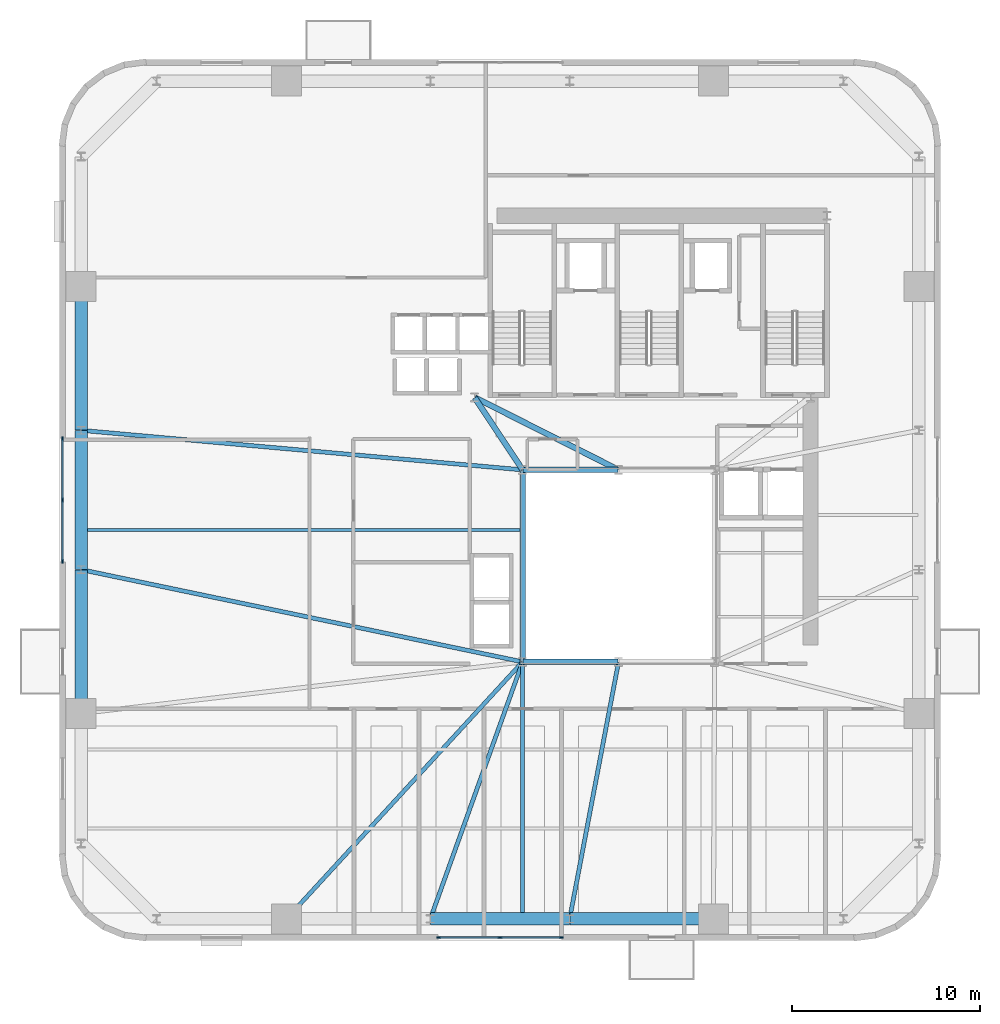
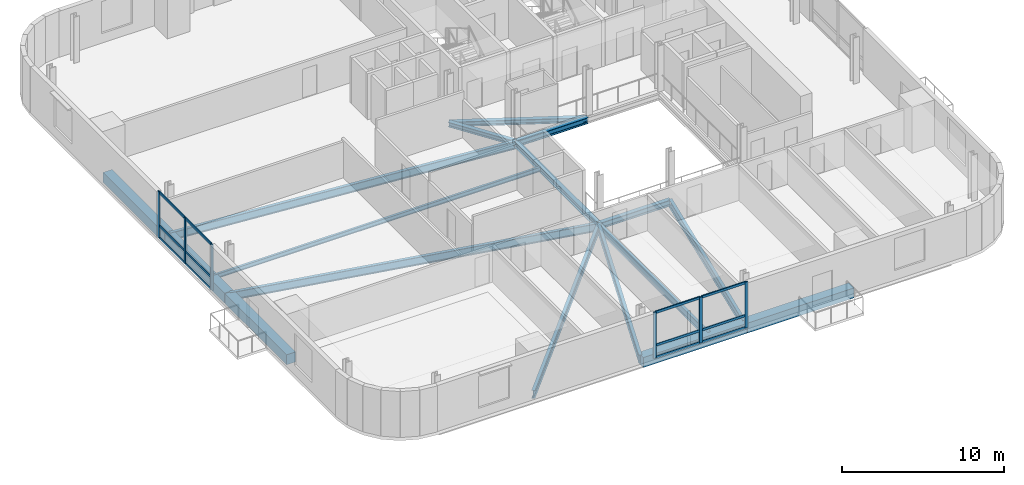
# One storey, part 2 of 14: 18 members, 17 beams, 2 elements without a shape of their own.
"""IFC4 building model written with IfcOpenShell, lengths in metres."""

import ifcopenshell
import ifcopenshell.guid

model = None  # the IFC model being written
_history = None  # IfcOwnerHistory: only IFC2X3 demands one
_inside = {}  # id of a spatial element -> (the spatial element, [elements in it])
_under = {}  # id of a project, library or spatial element -> (it, [spatial elements below it])
_declared = {}  # id of a project -> (the project, [libraries it declares])
_typed = {}  # id of a type object -> (the type object, [elements of that type])
_made_of = {}  # id of a material, layer set ... -> (it, [elements and type objects made of it])


def new_model(schema):
    """Start an empty IFC model of exactly this schema.

    Asked for "IFC4X3", IfcOpenShell would pick the latest addendum, in which some entities
    have other attributes; the version numbers below select the first issue.
    IFC2X3 requires an IfcOwnerHistory on every rooted entity: one is made here for all.
    """
    global model, _history
    if schema == "IFC4X3":
        model = ifcopenshell.file(schema_version=(4, 3, 0, 0))
    else:
        model = ifcopenshell.file(schema=schema)
    _inside.clear()
    _under.clear()
    _declared.clear()
    _typed.clear()
    _made_of.clear()
    _history = None
    if model.schema == "IFC2X3":
        org = make("IfcOrganization", Name="unknown")
        user = make(
            "IfcPersonAndOrganization",
            ThePerson=make("IfcPerson", FamilyName="unknown"),
            TheOrganization=org,
        )
        app = make(
            "IfcApplication",
            ApplicationDeveloper=org,
            Version="unknown",
            ApplicationFullName="unknown",
            ApplicationIdentifier="unknown",
        )
        _history = make(
            "IfcOwnerHistory",
            OwningUser=user,
            OwningApplication=app,
            ChangeAction="ADDED",
            CreationDate=0,
        )
    return model


def make(cls, **values):
    """One entity of the class cls with the attributes given. An attribute that is None is left unset."""
    return model.create_entity(
        cls, **{name: value for name, value in values.items() if value is not None}
    )


def rooted(cls, **values):
    """An entity with a GlobalId (a new one), such as an element, a storey or a relation."""
    return make(cls, GlobalId=ifcopenshell.guid.new(), OwnerHistory=_history, **values)


def si_unit(unit_type, name, prefix=None):
    """IfcSIUnit, for example si_unit("LENGTHUNIT", "METRE", prefix="MILLI")."""
    return make("IfcSIUnit", UnitType=unit_type, Prefix=prefix, Name=name)


def assignment(units):
    """IfcUnitAssignment: the units of a project."""
    return None if units is None else make("IfcUnitAssignment", Units=units)


def point(xyz):
    """IfcCartesianPoint."""
    return None if xyz is None else make("IfcCartesianPoint", Coordinates=xyz)


def direction(xyz):
    """IfcDirection."""
    return None if xyz is None else make("IfcDirection", DirectionRatios=xyz)


def frame(location, z_axis=None, x_axis=None):
    """IfcAxis2Placement3D, a coordinate frame: its origin and axes. An axis left out is left unset."""
    return make(
        "IfcAxis2Placement3D",
        Location=point(location),
        Axis=direction(z_axis),
        RefDirection=direction(x_axis),
    )


def frame_2d(location, x_axis=None):
    """IfcAxis2Placement2D, a coordinate frame in the plane: its origin and x axis."""
    return make(
        "IfcAxis2Placement2D", Location=point(location), RefDirection=direction(x_axis)
    )


def origin():
    """The frame at (0, 0, 0) with its axes left unset."""
    return frame((0.0, 0.0, 0.0))


def origin_2d():
    """The frame at (0, 0) in the plane with its x axis left unset."""
    return frame_2d((0.0, 0.0))


def place(relative_to, where):
    """IfcLocalPlacement: puts the frame where relative to a parent placement (None: the world)."""
    return make(
        "IfcLocalPlacement", PlacementRelTo=relative_to, RelativePlacement=where
    )


def context(
    kind, dimensions, precision=None, world=None, true_north=None, identifier=None
):
    """IfcGeometricRepresentationContext, for example the 3D "Model" context."""
    return make(
        "IfcGeometricRepresentationContext",
        ContextIdentifier=identifier,
        ContextType=kind,
        CoordinateSpaceDimension=dimensions,
        Precision=precision,
        WorldCoordinateSystem=world,
        TrueNorth=true_north,
    )


def subcontext(parent, identifier, kind, view, scale=None):
    """IfcGeometricRepresentationSubContext, for example "Body" below "Model"."""
    return make(
        "IfcGeometricRepresentationSubContext",
        ContextIdentifier=identifier,
        ContextType=kind,
        ParentContext=parent,
        TargetScale=scale,
        TargetView=view,
    )


def project(units=None, contexts=None):
    """IfcProject with its units and contexts."""
    return rooted(
        "IfcProject",
        Name="project",
        RepresentationContexts=contexts,
        UnitsInContext=assignment(units),
    )


def spatial(cls, under=None, at=None, **own):
    """A site, building, storey or space (cls), placed at a placement, below another one or the project."""
    s = rooted(cls, ObjectPlacement=at, **own)
    if under is not None:
        _under.setdefault(under.id(), (under, []))[1].append(s)
    return s


def profile(cls, at=None, kind="AREA", **sizes):
    """A parametric profile (cls). Its sizes go by their IFC names, for example OverallWidth=200.0."""
    return make(cls, ProfileType=kind, Position=at, **sizes)


def rectangle(**sizes):
    """IfcRectangleProfileDef."""
    return profile("IfcRectangleProfileDef", **sizes)


def i_section(**sizes):
    """IfcIShapeProfileDef."""
    return profile("IfcIShapeProfileDef", **sizes)


def extrude(swept, where, along, depth):
    """IfcExtrudedAreaSolid: the profile swept, set in the frame where, extruded along a direction by depth."""
    return make(
        "IfcExtrudedAreaSolid",
        SweptArea=swept,
        Position=where,
        ExtrudedDirection=direction(along),
        Depth=depth,
    )


def shape(context_of_items, identifier, shape_type, items):
    """IfcShapeRepresentation: the items that make up one representation, for example the "Body"."""
    return make(
        "IfcShapeRepresentation",
        ContextOfItems=context_of_items,
        RepresentationIdentifier=identifier,
        RepresentationType=shape_type,
        Items=items,
    )


def source(mapping_origin, context_of_items, identifier, shape_type, items):
    """IfcRepresentationMap: a shape defined once, which mapped items show again and again."""
    return make(
        "IfcRepresentationMap",
        MappingOrigin=mapping_origin,
        MappedRepresentation=shape(context_of_items, identifier, shape_type, items),
    )


def transform(
    local_origin,
    x_axis=None,
    y_axis=None,
    z_axis=None,
    scale=None,
    scale2=None,
    scale3=None,
    uniform=True,
):
    """IfcCartesianTransformationOperator3D, or its non-uniform kind. x_axis, y_axis, z_axis: its Axis1, 2, 3."""
    if uniform:
        return make(
            "IfcCartesianTransformationOperator3D",
            Axis1=direction(x_axis),
            Axis2=direction(y_axis),
            LocalOrigin=point(local_origin),
            Scale=scale,
            Axis3=direction(z_axis),
        )
    return make(
        "IfcCartesianTransformationOperator3DnonUniform",
        Axis1=direction(x_axis),
        Axis2=direction(y_axis),
        LocalOrigin=point(local_origin),
        Scale=scale,
        Axis3=direction(z_axis),
        Scale2=scale2,
        Scale3=scale3,
    )


def mapped(mapping_source, mapping_target):
    """IfcMappedItem: shows the shape of a source again, moved by a transform."""
    return make(
        "IfcMappedItem", MappingSource=mapping_source, MappingTarget=mapping_target
    )


def material(Name=None, Category=None):
    """IfcMaterial."""
    return make("IfcMaterial", Name=Name, Category=Category)


def material_profile(
    of_material, cross_section, Name=None, Category=None, Priority=None
):
    """IfcMaterialProfile: a cross section and its material."""
    return make(
        "IfcMaterialProfile",
        Name=Name,
        Material=of_material,
        Profile=cross_section,
        Priority=Priority,
        Category=Category,
    )


def profile_set(profiles, Name=None, composite=None):
    """IfcMaterialProfileSet."""
    return make(
        "IfcMaterialProfileSet",
        Name=Name,
        MaterialProfiles=profiles,
        CompositeProfile=composite,
    )


def made_of(thing, what):
    """Note that an element or type object is made of a material, layer set ...; save() writes the relation."""
    if what is not None:
        _made_of.setdefault(what.id(), (what, []))[1].append(thing)
    return thing


def type_object(cls, material=None, **own):
    """A type object (cls), such as IfcWallType, which elements share."""
    return made_of(rooted(cls, **own), material)


def element(
    cls,
    number,
    at=None,
    inside=None,
    cuts=None,
    type_object=None,
    material=None,
    context=None,
    identifier="Body",
    shape_type=None,
    held_by="IfcProductDefinitionShape",
    body=None,
    shapes=None,
    **own,
):
    """One element of the class cls, such as IfcWall. Its Tag is "e" and its number.

    at: its placement. inside: the storey or other place that contains it. cuts: it is an
    opening in that element (IfcRelVoidsElement). A single representation is given by context,
    identifier, shape_type and body (its items); several are given by shapes. held_by: the class
    of the entity that holds the representations. save() writes the other relations.
    """
    e = rooted(cls, Tag="e%d" % number, ObjectPlacement=at, **own)
    if body is not None:
        shapes = [shape(context, identifier, shape_type, body)]
    if shapes is not None:
        e.Representation = make(held_by, Representations=shapes)
    if inside is not None:
        _inside.setdefault(inside.id(), (inside, []))[1].append(e)
    if cuts is not None:
        rooted(
            "IfcRelVoidsElement", RelatingBuildingElement=cuts, RelatedOpeningElement=e
        )
    if type_object is not None:
        _typed.setdefault(type_object.id(), (type_object, []))[1].append(e)
    return made_of(e, material)


def aggregate(whole, parts):
    """IfcRelAggregates: a whole, such as a stair, and the parts it consists of."""
    return rooted("IfcRelAggregates", RelatingObject=whole, RelatedObjects=parts)


def save(model, path):
    """Write the relations noted so far, then the file.

    IfcRelAggregates (storeys below a building ...), IfcRelContainedInSpatialStructure (elements
    in a storey), IfcRelDefinesByType, IfcRelAssociatesMaterial and IfcRelDeclares: one each for
    every whole, place, type object, material and project.
    """
    for whole, parts in _under.values():
        aggregate(whole, parts)
    for where, things in _inside.values():
        rooted(
            "IfcRelContainedInSpatialStructure",
            RelatedElements=things,
            RelatingStructure=where,
        )
    for kind, things in _typed.values():
        rooted("IfcRelDefinesByType", RelatedObjects=things, RelatingType=kind)
    for what, things in _made_of.values():
        rooted("IfcRelAssociatesMaterial", RelatedObjects=things, RelatingMaterial=what)
    for by, libraries in _declared.values():
        rooted("IfcRelDeclares", RelatingContext=by, RelatedDefinitions=libraries)
    model.write(path)


model = new_model("IFC4")

# Units and contexts
model_context = context("Model", 3, precision=1e-05, world=origin(), true_north=direction((0.0, 1.0)))
body_context = subcontext(model_context, "Body", "Model", "MODEL_VIEW")
ifc_project = project(units=[si_unit("LENGTHUNIT", "METRE"), si_unit("AREAUNIT", "SQUARE_METRE"), si_unit("VOLUMEUNIT", "CUBIC_METRE"), si_unit("PLANEANGLEUNIT", "RADIAN"), si_unit("MASSUNIT", "GRAM", prefix="KILO")], contexts=[model_context])

# Site, building, storey
site_placement = place(None, origin())
site = spatial("IfcSite", under=ifc_project, at=site_placement, CompositionType="ELEMENT")
building_placement = place(site_placement, origin())
building = spatial("IfcBuilding", under=site, at=building_placement, Name="Vardaveli Station Tower", CompositionType="ELEMENT")
storey_placement = place(building_placement, frame((0.0, 0.0, 122.39990234375)))
storey = spatial("IfcBuildingStorey", under=building, at=storey_placement, Name="L31", CompositionType="ELEMENT", Elevation=122.39990234375)

# Beams
ifc_material_1 = material(Name="Structural steel S355J2", Category="steel")
ifc_material_profile_1 = material_profile(ifc_material_1, i_section(OverallWidth=0.300048828125, OverallDepth=0.449951171875, WebThickness=0.013916015625, FlangeThickness=0.02587890625, FilletRadius=0.027099609375, at=origin_2d()), Name="HEB 450")
ifc_profile_set_1 = profile_set([ifc_material_profile_1], Name="Structural steel S355J2")
beam_type_1 = type_object("IfcBeamType", Name="BM-HEB450", PredefinedType="BEAM", material=ifc_profile_set_1)
shared_shape_1 = source(origin(), body_context, "Body", "SweptSolid", [
    extrude(i_section(OverallWidth=0.300048828125, OverallDepth=0.449951171875, WebThickness=0.013916015625, FlangeThickness=0.02587890625, FilletRadius=0.027099609375, at=origin_2d()), origin(), (0.0, 0.0, 1.0), 5.06005859375),
])
for number, where, z_axis, x_axis, name in (
    (1, (31.219970703125, 16.60009765625, -0.46484375), (1.0, 0.0, 0.0), (0.0, 1.0, 0.0), "ABM-L31-01"),
    (2, (36.280029296875, 26.800048828125, -0.46484375), (-1.0, 0.0, 0.0), (0.0, -1.0, 0.0), "ABM-L31-05"),
):
    element("IfcBeam", number, at=place(storey_placement, frame(where, z_axis=z_axis, x_axis=x_axis)), inside=storey, type_object=beam_type_1, Name=name, PredefinedType="BEAM", context=body_context, shape_type="MappedRepresentation", body=[
        mapped(shared_shape_1, transform((0.0, 0.0, 0.0), scale=1.0)),
    ])
shared_shape_2 = source(origin(), body_context, "Body", "SweptSolid", [
    extrude(i_section(OverallWidth=0.300048828125, OverallDepth=0.449951171875, WebThickness=0.013916015625, FlangeThickness=0.02587890625, FilletRadius=0.027099609375, at=origin_2d()), origin(), (0.0, 0.0, 1.0), 10.159912109375),
])
beam_1_placement = place(storey_placement, frame((31.199951171875, 26.780029296875, -0.46484375), z_axis=(0.0, -1.0, 0.0), x_axis=(1.0, 0.0, 0.0)))
element("IfcBeam", 3, at=beam_1_placement, inside=storey, type_object=beam_type_1, Name="ABM-L31-06", PredefinedType="BEAM", context=body_context, shape_type="MappedRepresentation", body=[
    mapped(shared_shape_2, transform((0.0, 0.0, 0.0), scale=1.0)),
])
ifc_material_profile_2 = material_profile(ifc_material_1, i_section(OverallWidth=0.300048828125, OverallDepth=0.360107421875, WebThickness=0.012451171875, FlangeThickness=0.0224609375, FilletRadius=0.027099609375, at=origin_2d()), Name="HEB 360")
ifc_profile_set_2 = profile_set([ifc_material_profile_2], Name="Structural steel S355J2")
beam_type_2 = type_object("IfcBeamType", Name="BM-HEB360", PredefinedType="BEAM", material=ifc_profile_set_2)
shared_shape_3 = source(origin(), body_context, "Body", "SweptSolid", [
    extrude(i_section(OverallWidth=0.300048828125, OverallDepth=0.360107421875, WebThickness=0.012451171875, FlangeThickness=0.0224609375, FilletRadius=0.027099609375, at=origin_2d()), origin(), (0.0, 0.0, 1.0), 4.577880859375),
])
beam_2_placement = place(storey_placement, frame((31.18896484375, 26.816650390625, -0.419921875), z_axis=(-0.55218702139, 0.833720272879, 0.0), x_axis=(-0.833720272879, -0.55218702139, 0.0)))
element("IfcBeam", 4, at=beam_2_placement, inside=storey, type_object=beam_type_2, Name="CBM-L31-01", PredefinedType="BEAM", context=body_context, shape_type="MappedRepresentation", body=[
    mapped(shared_shape_3, transform((0.0, 0.0, 0.0), scale=1.0)),
])
shared_shape_4 = source(origin(), body_context, "Body", "SweptSolid", [
    extrude(i_section(OverallWidth=0.300048828125, OverallDepth=0.360107421875, WebThickness=0.012451171875, FlangeThickness=0.0224609375, FilletRadius=0.027099609375, at=origin_2d()), origin(), (0.0, 0.0, 1.0), 8.524169921875),
])
beam_3_placement = place(storey_placement, frame((28.66796875, 30.64111328125, -0.419921875), z_axis=(0.893255584708, -0.449549174605, 0.0), x_axis=(0.449549174605, 0.893255584708, 0.0)))
element("IfcBeam", 5, at=beam_3_placement, inside=storey, type_object=beam_type_2, Name="CBM-L31-03", PredefinedType="BEAM", context=body_context, shape_type="MappedRepresentation", body=[
    mapped(shared_shape_4, transform((0.0, 0.0, 0.0), scale=1.0)),
])
ifc_material_2 = material(Name="Precast concrete C45/55", Category="concrete")
ifc_material_profile_3 = material_profile(ifc_material_2, rectangle(XDim=0.64990234375, YDim=0.75, at=origin_2d()), Name="LPB 650x750")
ifc_profile_set_3 = profile_set([ifc_material_profile_3], Name="Precast concrete C45/55")
beam_type_3 = type_object("IfcBeamType", Name="BM-LPB-750", PredefinedType="BEAM", material=ifc_profile_set_3)
shared_shape_5 = source(origin(), body_context, "Body", "SweptSolid", [
    extrude(rectangle(XDim=0.64990234375, YDim=0.75, at=origin_2d()), origin(), (0.0, 0.0, 1.0), 7.60009765625),
])
for number, where, z_axis, x_axis, name in (
    (6, (33.719970703125, 2.949951171875, -0.614990234375), (1.0, 0.0, 0.0), (0.0, 1.0, 0.0), "RBM-L31-03"),
    (7, (7.75, 36.52001953125, -0.614990234375), (0.0, -1.0, 0.0), (1.0, 0.0, 0.0), "RBM-L31-19"),
    (8, (7.75, 21.47998046875, -0.614990234375), (0.0, -1.0, 0.0), (1.0, 0.0, 0.0), "RBM-L31-21"),
):
    element("IfcBeam", number, at=place(storey_placement, frame(where, z_axis=z_axis, x_axis=x_axis)), inside=storey, type_object=beam_type_3, Name=name, PredefinedType="BEAM", context=body_context, shape_type="MappedRepresentation", body=[
        mapped(shared_shape_5, transform((0.0, 0.0, 0.0), scale=1.0)),
    ])
shared_shape_6 = source(origin(), body_context, "Body", "SweptSolid", [
    extrude(rectangle(XDim=0.64990234375, YDim=0.75, at=origin_2d()), origin(), (0.0, 0.0, 1.0), 7.35986328125),
])
for number, where, z_axis, x_axis, name in (
    (9, (26.320068359375, 2.949951171875, -0.614990234375), (1.0, 0.0, 0.0), (0.0, 1.0, 0.0), "RBM-L31-02"),
    (10, (7.75, 28.8798828125, -0.614990234375), (0.0, -1.0, 0.0), (1.0, 0.0, 0.0), "RBM-L31-20"),
):
    element("IfcBeam", number, at=place(storey_placement, frame(where, z_axis=z_axis, x_axis=x_axis)), inside=storey, type_object=beam_type_3, Name=name, PredefinedType="BEAM", context=body_context, shape_type="MappedRepresentation", body=[
        mapped(shared_shape_6, transform((0.0, 0.0, 0.0), scale=1.0)),
    ])
ifc_material_profile_4 = material_profile(ifc_material_1, i_section(OverallWidth=0.2099609375, OverallDepth=0.550048828125, WebThickness=0.010986328125, FlangeThickness=0.01708984375, FilletRadius=0.02392578125, at=origin_2d()), Name="IPE 550")
ifc_profile_set_4 = profile_set([ifc_material_profile_4], Name="Structural steel S355J2")
beam_type_4 = type_object("IfcBeamType", Name="BM-IPE550", PredefinedType="BEAM", material=ifc_profile_set_4)
shared_shape_7 = source(origin(), body_context, "Body", "SweptSolid", [
    extrude(i_section(OverallWidth=0.2099609375, OverallDepth=0.550048828125, WebThickness=0.010986328125, FlangeThickness=0.01708984375, FilletRadius=0.02392578125, at=origin_2d()), origin(), (0.0, 0.0, 1.0), 13.469970703125),
])
beam_4_placement = place(storey_placement, frame((31.199951171875, 2.989990234375, -0.514892578125), z_axis=(0.0, 1.0, 0.0), x_axis=(-1.0, 0.0, 0.0)))
element("IfcBeam", 11, at=beam_4_placement, inside=storey, type_object=beam_type_4, Name="NSM-L31-S1", PredefinedType="BEAM", context=body_context, shape_type="MappedRepresentation", body=[
    mapped(shared_shape_7, transform((0.0, 0.0, 0.0), scale=1.0)),
])
ifc_material_profile_5 = material_profile(ifc_material_1, i_section(OverallWidth=0.159912109375, OverallDepth=0.330078125, WebThickness=0.007568359375, FlangeThickness=0.011474609375, FilletRadius=0.01806640625, at=origin_2d()), Name="IPE 330")
ifc_profile_set_5 = profile_set([ifc_material_profile_5], Name="Structural steel S355J2")
beam_type_5 = type_object("IfcBeamType", Name="BM-IPE330", PredefinedType="JOIST", material=ifc_profile_set_5)
shared_shape_8 = source(origin(), body_context, "Body", "SweptSolid", [
    extrude(i_section(OverallWidth=0.159912109375, OverallDepth=0.330078125, WebThickness=0.007568359375, FlangeThickness=0.011474609375, FilletRadius=0.01806640625, at=origin_2d()), origin(), (0.0, 0.0, 1.0), 23.2978515625),
])
beam_5_placement = place(storey_placement, frame((7.7900390625, 23.60009765625, -0.40478515625), z_axis=(1.0, 0.0, 0.0), x_axis=(0.0, 1.0, 0.0)))
element("IfcBeam", 12, at=beam_5_placement, inside=storey, type_object=beam_type_5, Name="SJ-L31-W06", PredefinedType="JOIST", context=body_context, shape_type="MappedRepresentation", body=[
    mapped(shared_shape_8, transform((0.0, 0.0, 0.0), scale=1.0)),
])
ifc_material_profile_6 = material_profile(ifc_material_1, i_section(OverallWidth=0.219970703125, OverallDepth=0.60009765625, WebThickness=0.011962890625, FlangeThickness=0.01904296875, FilletRadius=0.02392578125, at=origin_2d()), Name="IPE 600")
ifc_profile_set_6 = profile_set([ifc_material_profile_6], Name="Structural steel S355J2")
beam_type_6 = type_object("IfcBeamType", Name="BM-IPE600", PredefinedType="BEAM", material=ifc_profile_set_6)
shared_shape_9 = source(origin(), body_context, "Body", "SweptSolid", [
    extrude(i_section(OverallWidth=0.219970703125, OverallDepth=0.60009765625, WebThickness=0.011962890625, FlangeThickness=0.01904296875, FilletRadius=0.02392578125, at=origin_2d()), origin(), (0.0, 0.0, 1.0), 18.49560546875),
])
beam_6_placement = place(storey_placement, frame((18.673583984375, 2.96484375, -0.539794921875), z_axis=(0.676535341891, 0.736410165039, 0.0), x_axis=(-0.736410165039, 0.676535341891, 0.0)))
element("IfcBeam", 13, at=beam_6_placement, inside=storey, type_object=beam_type_6, Name="GBM-L31-01", PredefinedType="BEAM", context=body_context, shape_type="MappedRepresentation", body=[
    mapped(shared_shape_9, transform((0.0, 0.0, 0.0), scale=1.0)),
])
shared_shape_10 = source(origin(), body_context, "Body", "SweptSolid", [
    extrude(i_section(OverallWidth=0.219970703125, OverallDepth=0.60009765625, WebThickness=0.011962890625, FlangeThickness=0.01904296875, FilletRadius=0.02392578125, at=origin_2d()), origin(), (0.0, 0.0, 1.0), 14.462890625),
])
beam_7_placement = place(storey_placement, frame((26.306640625, 2.96875, -0.539794921875), z_axis=(0.337880090533, 0.941189165057, 0.0), x_axis=(-0.941189165057, 0.337880090533, 0.0)))
element("IfcBeam", 14, at=beam_7_placement, inside=storey, type_object=beam_type_6, Name="GBM-L31-02", PredefinedType="BEAM", context=body_context, shape_type="MappedRepresentation", body=[
    mapped(shared_shape_10, transform((0.0, 0.0, 0.0), scale=1.0)),
])
shared_shape_11 = source(origin(), body_context, "Body", "SweptSolid", [
    extrude(i_section(OverallWidth=0.219970703125, OverallDepth=0.60009765625, WebThickness=0.011962890625, FlangeThickness=0.01904296875, FilletRadius=0.02392578125, at=origin_2d()), origin(), (0.0, 0.0, 1.0), 13.855224609375),
])
beam_8_placement = place(storey_placement, frame((33.703857421875, 2.9697265625, -0.539794921875), z_axis=(0.187097533125, 0.982341342456, 0.0), x_axis=(-0.982341342456, 0.187097533125, 0.0)))
element("IfcBeam", 15, at=beam_8_placement, inside=storey, type_object=beam_type_6, Name="GBM-L31-03", PredefinedType="BEAM", context=body_context, shape_type="MappedRepresentation", body=[
    mapped(shared_shape_11, transform((0.0, 0.0, 0.0), scale=1.0)),
])
shared_shape_12 = source(origin(), body_context, "Body", "SweptSolid", [
    extrude(i_section(OverallWidth=0.219970703125, OverallDepth=0.60009765625, WebThickness=0.011962890625, FlangeThickness=0.01904296875, FilletRadius=0.02392578125, at=origin_2d()), origin(), (0.0, 0.0, 1.0), 23.50390625),
])
beam_9_placement = place(storey_placement, frame((7.77001953125, 28.898193359375, -0.539794921875), z_axis=(0.996014142198, -0.08919545135, 0.0), x_axis=(0.08919545135, 0.996014142198, 0.0)))
element("IfcBeam", 16, at=beam_9_placement, inside=storey, type_object=beam_type_6, Name="GBM-L31-08", PredefinedType="BEAM", context=body_context, shape_type="MappedRepresentation", body=[
    mapped(shared_shape_12, transform((0.0, 0.0, 0.0), scale=1.0)),
])
shared_shape_13 = source(origin(), body_context, "Body", "SweptSolid", [
    extrude(i_section(OverallWidth=0.219970703125, OverallDepth=0.60009765625, WebThickness=0.011962890625, FlangeThickness=0.01904296875, FilletRadius=0.02392578125, at=origin_2d()), origin(), (0.0, 0.0, 1.0), 23.91650390625),
])
beam_10_placement = place(storey_placement, frame((7.76953125, 21.495849609375, -0.539794921875), z_axis=(0.978858547354, -0.204538368703, 0.0), x_axis=(0.204538368703, 0.978858547354, 0.0)))
element("IfcBeam", 17, at=beam_10_placement, inside=storey, type_object=beam_type_6, Name="GBM-L31-09", PredefinedType="BEAM", context=body_context, shape_type="MappedRepresentation", body=[
    mapped(shared_shape_13, transform((0.0, 0.0, 0.0), scale=1.0)),
])

# Curtain wall, members
ifc_material_3 = material(Name="Travertine stone and solar-control glass", Category="masonry")
curtain_wall_type = type_object("IfcCurtainWallType", Name="CW-SYS-2", PredefinedType="NOTDEFINED", material=ifc_material_3)
curtain_wall_1_placement = place(storey_placement, origin())
curtain_wall_1 = element("IfcCurtainWall", 18, at=curtain_wall_1_placement, inside=storey, type_object=curtain_wall_type, Name="CW-L31-S", PredefinedType="NOTDEFINED")
ifc_material_4 = material(Name="Anodised aluminium alloy 6063-T6", Category="aluminium")
ifc_material_profile_7 = material_profile(ifc_material_4, rectangle(XDim=0.0849609375, YDim=0.179931640625, at=origin_2d()), Name="CWT 85x180")
ifc_profile_set_7 = profile_set([ifc_material_profile_7], Name="Anodised aluminium alloy 6063-T6")
member_type_1 = type_object("IfcMemberType", Name="CW-SYS-2-TRAN", PredefinedType="NOTDEFINED", material=ifc_profile_set_7)
shared_shape_14 = source(origin(), body_context, "Body", "SweptSolid", [
    extrude(rectangle(XDim=0.0849609375, YDim=0.179931640625, at=origin_2d()), origin(), (0.0, 0.0, 1.0), 3.172607421875),
])
member_1_placement = place(storey_placement, frame((26.784912109375, 1.9599609375, 0.04248046875), z_axis=(1.0, 0.0, 0.0), x_axis=(0.0, 1.0, 0.0)))
member_1 = element("IfcMember", 19, at=member_1_placement, type_object=member_type_1, Name="CW-2 transom 1.1", ObjectType="TRANSOM", PredefinedType="USERDEFINED", context=body_context, shape_type="MappedRepresentation", body=[
    mapped(shared_shape_14, transform((0.0, 0.0, 0.0), scale=1.0)),
])
member_2_placement = place(storey_placement, frame((26.784912109375, 1.9599609375, 0.9501953125), z_axis=(1.0, 0.0, 0.0), x_axis=(0.0, 1.0, 0.0)))
member_2 = element("IfcMember", 20, at=member_2_placement, type_object=member_type_1, Name="CW-2 transom 1.2", ObjectType="TRANSOM", PredefinedType="USERDEFINED", context=body_context, shape_type="MappedRepresentation", body=[
    mapped(shared_shape_14, transform((0.0, 0.0, 0.0), scale=1.0)),
])
member_3_placement = place(storey_placement, frame((26.784912109375, 1.9599609375, 3.41748046875), z_axis=(1.0, 0.0, 0.0), x_axis=(0.0, 1.0, 0.0)))
member_3 = element("IfcMember", 21, at=member_3_placement, type_object=member_type_1, Name="CW-2 transom 1.3", ObjectType="TRANSOM", PredefinedType="USERDEFINED", context=body_context, shape_type="MappedRepresentation", body=[
    mapped(shared_shape_14, transform((0.0, 0.0, 0.0), scale=1.0)),
])
member_4_placement = place(storey_placement, frame((30.04248046875, 1.9599609375, 0.04248046875), z_axis=(1.0, 0.0, 0.0), x_axis=(0.0, 1.0, 0.0)))
member_4 = element("IfcMember", 22, at=member_4_placement, type_object=member_type_1, Name="CW-2 transom 2.1", ObjectType="TRANSOM", PredefinedType="USERDEFINED", context=body_context, shape_type="MappedRepresentation", body=[
    mapped(shared_shape_14, transform((0.0, 0.0, 0.0), scale=1.0)),
])
member_5_placement = place(storey_placement, frame((30.04248046875, 1.9599609375, 0.9501953125), z_axis=(1.0, 0.0, 0.0), x_axis=(0.0, 1.0, 0.0)))
member_5 = element("IfcMember", 23, at=member_5_placement, type_object=member_type_1, Name="CW-2 transom 2.2", ObjectType="TRANSOM", PredefinedType="USERDEFINED", context=body_context, shape_type="MappedRepresentation", body=[
    mapped(shared_shape_14, transform((0.0, 0.0, 0.0), scale=1.0)),
])
member_6_placement = place(storey_placement, frame((30.04248046875, 1.9599609375, 3.41748046875), z_axis=(1.0, 0.0, 0.0), x_axis=(0.0, 1.0, 0.0)))
member_6 = element("IfcMember", 24, at=member_6_placement, type_object=member_type_1, Name="CW-2 transom 2.3", ObjectType="TRANSOM", PredefinedType="USERDEFINED", context=body_context, shape_type="MappedRepresentation", body=[
    mapped(shared_shape_14, transform((0.0, 0.0, 0.0), scale=1.0)),
])

curtain_wall_2_placement = place(storey_placement, origin())
curtain_wall_2 = element("IfcCurtainWall", 25, at=curtain_wall_2_placement, inside=storey, type_object=curtain_wall_type, Name="CW-L31-W", PredefinedType="NOTDEFINED")
member_7_placement = place(storey_placement, frame((6.760009765625, 28.4150390625, 0.04248046875), z_axis=(0.0, -1.0, 0.0), x_axis=(1.0, 0.0, 0.0)))
member_7 = element("IfcMember", 26, at=member_7_placement, type_object=member_type_1, Name="CW-2 transom 1.1", ObjectType="TRANSOM", PredefinedType="USERDEFINED", context=body_context, shape_type="MappedRepresentation", body=[
    mapped(shared_shape_14, transform((0.0, 0.0, 0.0), scale=1.0)),
])
member_8_placement = place(storey_placement, frame((6.760009765625, 28.4150390625, 0.9501953125), z_axis=(0.0, -1.0, 0.0), x_axis=(1.0, 0.0, 0.0)))
member_8 = element("IfcMember", 27, at=member_8_placement, type_object=member_type_1, Name="CW-2 transom 1.2", ObjectType="TRANSOM", PredefinedType="USERDEFINED", context=body_context, shape_type="MappedRepresentation", body=[
    mapped(shared_shape_14, transform((0.0, 0.0, 0.0), scale=1.0)),
])
member_9_placement = place(storey_placement, frame((6.760009765625, 28.4150390625, 3.41748046875), z_axis=(0.0, -1.0, 0.0), x_axis=(1.0, 0.0, 0.0)))
member_9 = element("IfcMember", 28, at=member_9_placement, type_object=member_type_1, Name="CW-2 transom 1.3", ObjectType="TRANSOM", PredefinedType="USERDEFINED", context=body_context, shape_type="MappedRepresentation", body=[
    mapped(shared_shape_14, transform((0.0, 0.0, 0.0), scale=1.0)),
])
shared_shape_15 = source(origin(), body_context, "Body", "SweptSolid", [
    extrude(rectangle(XDim=0.0849609375, YDim=0.179931640625, at=origin_2d()), origin(), (0.0, 0.0, 1.0), 3.17236328125),
])
member_10_placement = place(storey_placement, frame((6.760009765625, 25.157470703125, 0.04248046875), z_axis=(0.0, -1.0, 0.0), x_axis=(1.0, 0.0, 0.0)))
member_10 = element("IfcMember", 29, at=member_10_placement, type_object=member_type_1, Name="CW-2 transom 2.1", ObjectType="TRANSOM", PredefinedType="USERDEFINED", context=body_context, shape_type="MappedRepresentation", body=[
    mapped(shared_shape_15, transform((0.0, 0.0, 0.0), scale=1.0)),
])
member_11_placement = place(storey_placement, frame((6.760009765625, 25.157470703125, 0.9501953125), z_axis=(0.0, -1.0, 0.0), x_axis=(1.0, 0.0, 0.0)))
member_11 = element("IfcMember", 30, at=member_11_placement, type_object=member_type_1, Name="CW-2 transom 2.2", ObjectType="TRANSOM", PredefinedType="USERDEFINED", context=body_context, shape_type="MappedRepresentation", body=[
    mapped(shared_shape_15, transform((0.0, 0.0, 0.0), scale=1.0)),
])
member_12_placement = place(storey_placement, frame((6.760009765625, 25.157470703125, 3.41748046875), z_axis=(0.0, -1.0, 0.0), x_axis=(1.0, 0.0, 0.0)))
member_12 = element("IfcMember", 31, at=member_12_placement, type_object=member_type_1, Name="CW-2 transom 2.3", ObjectType="TRANSOM", PredefinedType="USERDEFINED", context=body_context, shape_type="MappedRepresentation", body=[
    mapped(shared_shape_15, transform((0.0, 0.0, 0.0), scale=1.0)),
])

# Member
ifc_material_profile_8 = material_profile(ifc_material_4, rectangle(XDim=0.0849609375, YDim=0.219970703125, at=origin_2d()), Name="CWM 85x220")
ifc_profile_set_8 = profile_set([ifc_material_profile_8], Name="Anodised aluminium alloy 6063-T6")
member_type_2 = type_object("IfcMemberType", Name="CW-SYS-2-MULL", PredefinedType="MULLION", material=ifc_profile_set_8)
shared_shape_16 = source(origin(), body_context, "Body", "SweptSolid", [
    extrude(rectangle(XDim=0.0849609375, YDim=0.219970703125, at=origin_2d()), origin(), (0.0, 0.0, 1.0), 3.460205078125),
])
member_13_placement = place(storey_placement, frame((26.742431640625, 1.9599609375, 0.0), z_axis=(0.0, 0.0, 1.0), x_axis=(0.0, 1.0, 0.0)))
member_13 = element("IfcMember", 32, at=member_13_placement, type_object=member_type_2, Name="CW-2 mullion 1", PredefinedType="MULLION", context=body_context, shape_type="MappedRepresentation", body=[
    mapped(shared_shape_16, transform((0.0, 0.0, 0.0), scale=1.0)),
])

member_14_placement = place(storey_placement, frame((30.0, 1.9599609375, 0.0), z_axis=(0.0, 0.0, 1.0), x_axis=(0.0, 1.0, 0.0)))
member_14 = element("IfcMember", 33, at=member_14_placement, type_object=member_type_2, Name="CW-2 mullion 2", PredefinedType="MULLION", context=body_context, shape_type="MappedRepresentation", body=[
    mapped(shared_shape_16, transform((0.0, 0.0, 0.0), scale=1.0)),
])

member_15_placement = place(storey_placement, frame((33.257568359375, 1.9599609375, 0.0), z_axis=(0.0, 0.0, 1.0), x_axis=(0.0, 1.0, 0.0)))
member_15 = element("IfcMember", 34, at=member_15_placement, type_object=member_type_2, Name="CW-2 mullion 3", PredefinedType="MULLION", context=body_context, shape_type="MappedRepresentation", body=[
    mapped(shared_shape_16, transform((0.0, 0.0, 0.0), scale=1.0)),
])

aggregate(curtain_wall_1, [member_13, member_14, member_15, member_1, member_2, member_3, member_4, member_5, member_6])

member_16_placement = place(storey_placement, frame((6.760009765625, 28.45751953125, 0.0), z_axis=(0.0, 0.0, 1.0), x_axis=(1.0, 0.0, 0.0)))
member_16 = element("IfcMember", 35, at=member_16_placement, type_object=member_type_2, Name="CW-2 mullion 1", PredefinedType="MULLION", context=body_context, shape_type="MappedRepresentation", body=[
    mapped(shared_shape_16, transform((0.0, 0.0, 0.0), scale=1.0)),
])

member_17_placement = place(storey_placement, frame((6.760009765625, 25.199951171875, 0.0), z_axis=(0.0, 0.0, 1.0), x_axis=(1.0, 0.0, 0.0)))
member_17 = element("IfcMember", 36, at=member_17_placement, type_object=member_type_2, Name="CW-2 mullion 2", PredefinedType="MULLION", context=body_context, shape_type="MappedRepresentation", body=[
    mapped(shared_shape_16, transform((0.0, 0.0, 0.0), scale=1.0)),
])

member_18_placement = place(storey_placement, frame((6.760009765625, 21.9423828125, 0.0), z_axis=(0.0, 0.0, 1.0), x_axis=(1.0, 0.0, 0.0)))
member_18 = element("IfcMember", 37, at=member_18_placement, type_object=member_type_2, Name="CW-2 mullion 3", PredefinedType="MULLION", context=body_context, shape_type="MappedRepresentation", body=[
    mapped(shared_shape_16, transform((0.0, 0.0, 0.0), scale=1.0)),
])

aggregate(curtain_wall_2, [member_16, member_17, member_18, member_7, member_8, member_9, member_10, member_11, member_12])

save(model, "model.ifc")
